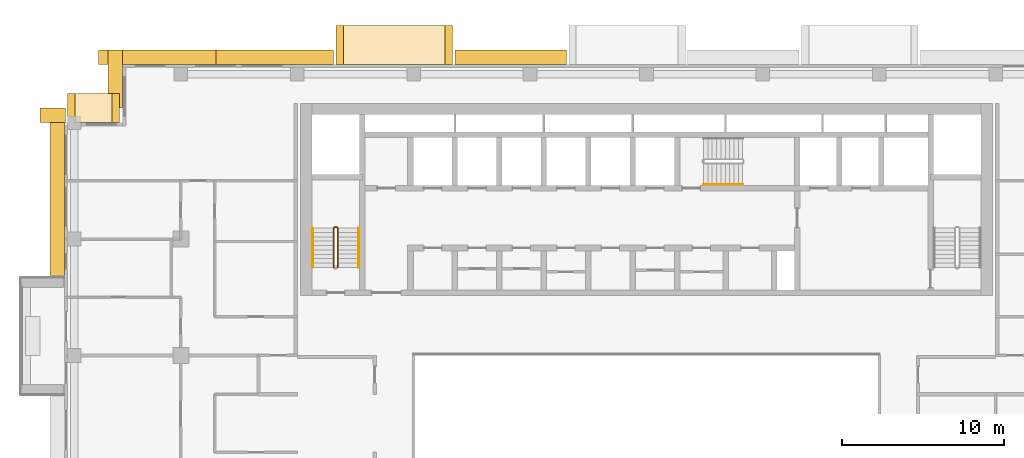
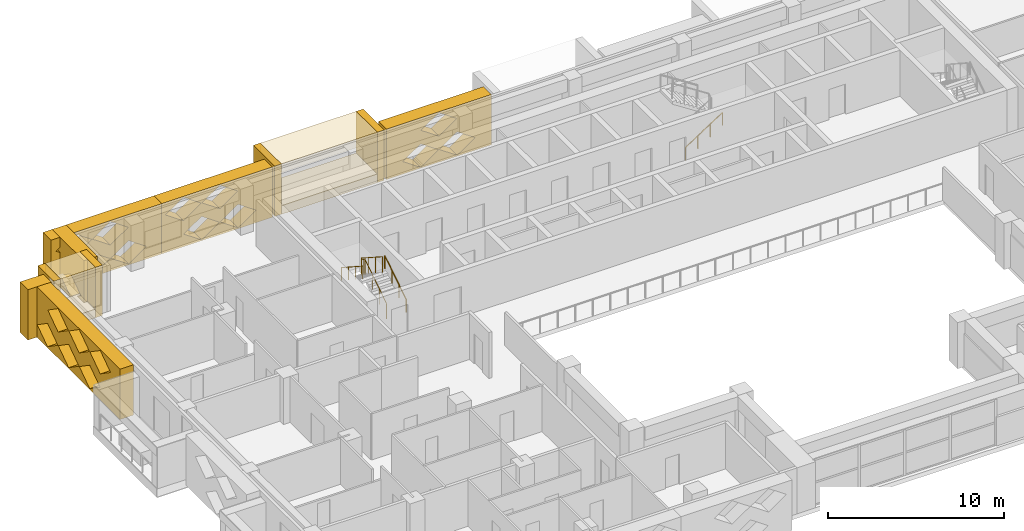
# One storey, part 18 of 20: 14 coverings, 4 railings.
"""IFC4 building model written with IfcOpenShell, lengths in metres."""

from ifc_helpers import new_model, si_unit, direction, frame, origin, origin_2d, place, context, subcontext, project, spatial, polyline, circle, outline, extrude, material, type_object, element, save


model = new_model("IFC4")

# Units and contexts
model_context = context("Model", 3, precision=1e-05, world=origin(), true_north=direction((0.0, 1.0)))
body_context = subcontext(model_context, "Body", "Model", "MODEL_VIEW")
ifc_project = project(units=[si_unit("LENGTHUNIT", "METRE"), si_unit("AREAUNIT", "SQUARE_METRE"), si_unit("VOLUMEUNIT", "CUBIC_METRE"), si_unit("PLANEANGLEUNIT", "RADIAN"), si_unit("MASSUNIT", "GRAM", prefix="KILO")], contexts=[model_context])

# Site, building, storey
site_placement = place(None, origin())
site = spatial("IfcSite", under=ifc_project, at=site_placement, CompositionType="ELEMENT")
building_placement = place(site_placement, origin())
building = spatial("IfcBuilding", under=site, at=building_placement, Name="Saffron Iwan Residences", CompositionType="ELEMENT")
storey_placement = place(building_placement, frame((0.0, 0.0, 171.0)))
storey = spatial("IfcBuildingStorey", under=building, at=storey_placement, Name="L45", CompositionType="ELEMENT", Elevation=171.0)

# Coverings
ifc_material_1 = material(Name="Precast concrete C40/50", Category="concrete")
covering_type_1 = type_object("IfcCoveringType", Name="OUTER SKIN LATTICE SCREEN", PredefinedType="CLADDING", material=ifc_material_1)
covering_1_placement = place(storey_placement, frame((45.449951171875, 80.39990234375, -0.300048828125), z_axis=(0.0, 1.0, 0.0), x_axis=(-1.0, 0.0, 0.0)))
element("IfcCovering", 1, at=covering_1_placement, inside=storey, type_object=covering_type_1, Name="OUTER SKIN lattice screen L45 F5.3", PredefinedType="CLADDING", context=body_context, shape_type="SweptSolid", body=[
    extrude(outline(polyline([(0.0, 0.0), (6.89990234375, 0.0), (6.89990234375, 3.5), (0.0, 3.5), (0.0, 0.0)]), holes=[polyline([(1.070068359375, 0.875), (2.25, 0.06005859375), (3.429931640625, 0.875), (2.25, 1.68994140625), (1.070068359375, 0.875)]), polyline([(3.469970703125, 0.875), (4.64990234375, 0.06005859375), (5.830078125, 0.875), (4.64990234375, 1.68994140625), (3.469970703125, 0.875)]), polyline([(2.27001953125, 2.625), (3.449951171875, 1.81005859375), (4.6298828125, 2.625), (3.449951171875, 3.43994140625), (2.27001953125, 2.625)])]), origin(), (0.0, 0.0, 1.0), 0.900146484375),
])
covering_2_placement = place(storey_placement, frame((31.050048828125, 80.39990234375, -0.300048828125), z_axis=(0.0, 1.0, 0.0), x_axis=(-1.0, 0.0, 0.0)))
element("IfcCovering", 2, at=covering_2_placement, inside=storey, type_object=covering_type_1, Name="OUTER SKIN lattice screen L45 F5.4", PredefinedType="CLADDING", context=body_context, shape_type="SweptSolid", body=[
    extrude(outline(polyline([(0.0, 0.0), (7.27490234375, 0.0), (7.27490234375, 3.5), (0.0, 3.5), (0.0, 0.0)]), holes=[polyline([(1.070068359375, 0.875), (2.25, 0.06005859375), (3.429931640625, 0.875), (2.25, 1.68994140625), (1.070068359375, 0.875)]), polyline([(3.469970703125, 0.875), (4.64990234375, 0.06005859375), (5.830078125, 0.875), (4.64990234375, 1.68994140625), (3.469970703125, 0.875)]), polyline([(2.27001953125, 2.625), (3.449951171875, 1.81005859375), (4.6298828125, 2.625), (3.449951171875, 3.43994140625), (2.27001953125, 2.625)]), polyline([(4.669921875, 2.625), (5.85009765625, 1.81005859375), (7.030029296875, 2.625), (5.85009765625, 3.43994140625), (4.669921875, 2.625)])]), origin(), (0.0, 0.0, 1.0), 0.900146484375),
])
covering_3_placement = place(storey_placement, frame((23.77490234375, 80.39990234375, -0.300048828125), z_axis=(0.0, 1.0, 0.0), x_axis=(-1.0, 0.0, 0.0)))
element("IfcCovering", 3, at=covering_3_placement, inside=storey, type_object=covering_type_1, Name="OUTER SKIN lattice screen L45 F5.5", PredefinedType="CLADDING", context=body_context, shape_type="SweptSolid", body=[
    extrude(outline(polyline([(0.0, 0.0), (7.27490234375, 0.0), (7.27490234375, 3.5), (0.0, 3.5), (0.0, 0.0)]), holes=[polyline([(0.9951171875, 0.875), (2.175048828125, 0.06005859375), (3.35498046875, 0.875), (2.175048828125, 1.68994140625), (0.9951171875, 0.875)]), polyline([(3.39501953125, 0.875), (4.574951171875, 0.06005859375), (5.7548828125, 0.875), (4.574951171875, 1.68994140625), (3.39501953125, 0.875)]), polyline([(2.195068359375, 2.625), (3.375, 1.81005859375), (4.554931640625, 2.625), (3.375, 3.43994140625), (2.195068359375, 2.625)]), polyline([(4.594970703125, 2.625), (5.77490234375, 1.81005859375), (6.955078125, 2.625), (5.77490234375, 3.43994140625), (4.594970703125, 2.625)])]), origin(), (0.0, 0.0, 1.0), 0.900146484375),
])
covering_4_placement = place(storey_placement, frame((18.0, 81.300048828125, -0.300048828125), z_axis=(-1.0, 0.0, 0.0), x_axis=(0.0, -1.0, 0.0)))
element("IfcCovering", 4, at=covering_4_placement, inside=storey, type_object=covering_type_1, Name="OUTER SKIN lattice screen L45 F6.0", PredefinedType="CLADDING", context=body_context, shape_type="SweptSolid", body=[
    extrude(outline(polyline([(0.0, 0.0), (3.60009765625, 0.0), (3.60009765625, 3.5), (0.0, 3.5), (0.0, 0.0)]), holes=[polyline([(0.919921875, 0.875), (2.10009765625, 0.06005859375), (3.280029296875, 0.875), (2.10009765625, 1.68994140625), (0.919921875, 0.875)])]), origin(), (0.0, 0.0, 1.0), 0.89990234375),
])
covering_5_placement = place(storey_placement, frame((14.449951171875, 76.800048828125, -0.300048828125), z_axis=(0.0, 1.0, 0.0), x_axis=(-1.0, 0.0, 0.0)))
element("IfcCovering", 5, at=covering_5_placement, inside=storey, type_object=covering_type_1, Name="OUTER SKIN lattice screen L45 F7.0", PredefinedType="CLADDING", context=body_context, shape_type="SweptSolid", body=[
    extrude(outline(polyline([(0.0, 0.0), (1.550048828125, 0.0), (1.550048828125, 3.5), (0.0, 3.5), (0.0, 0.0)])), origin(), (0.0, 0.0, 1.0), 0.89990234375),
])
covering_6_placement = place(storey_placement, frame((14.39990234375, 77.699951171875, -0.300048828125), z_axis=(-1.0, 0.0, 0.0), x_axis=(0.0, -1.0, 0.0)))
element("IfcCovering", 6, at=covering_6_placement, inside=storey, type_object=covering_type_1, Name="OUTER SKIN lattice screen L45 F8.0", PredefinedType="CLADDING", context=body_context, shape_type="SweptSolid", body=[
    extrude(outline(polyline([(0.0, 0.0), (10.35009765625, 0.0), (10.35009765625, 3.5), (0.0, 3.5), (0.0, 0.0)]), holes=[polyline([(0.919921875, 0.875), (2.10009765625, 0.06005859375), (3.280029296875, 0.875), (2.10009765625, 1.68994140625), (0.919921875, 0.875)]), polyline([(3.320068359375, 0.875), (4.5, 0.06005859375), (5.679931640625, 0.875), (4.5, 1.68994140625), (3.320068359375, 0.875)]), polyline([(5.719970703125, 0.875), (6.89990234375, 0.06005859375), (8.080078125, 0.875), (6.89990234375, 1.68994140625), (5.719970703125, 0.875)]), polyline([(2.1201171875, 2.625), (3.300048828125, 1.81005859375), (4.47998046875, 2.625), (3.300048828125, 3.43994140625), (2.1201171875, 2.625)]), polyline([(4.52001953125, 2.625), (5.699951171875, 1.81005859375), (6.8798828125, 2.625), (5.699951171875, 3.43994140625), (4.52001953125, 2.625)]), polyline([(6.919921875, 2.625), (8.10009765625, 1.81005859375), (9.280029296875, 2.625), (8.10009765625, 3.43994140625), (6.919921875, 2.625)])]), origin(), (0.0, 0.0, 1.0), 0.89990234375),
])

# Railings
ifc_material_2 = material(Name="Steel S355", Category="steel")
railing_type_1 = type_object("IfcRailingType", Name="Stair guard 1100", PredefinedType="GUARDRAIL", material=ifc_material_2)
railing_1_placement = place(storey_placement, frame((31.300048828125, 67.85009765625, 0.175048828125)))
element("IfcRailing", 7, at=railing_1_placement, inside=storey, type_object=railing_type_1, Name="L45 ST-W stair guard 1", PredefinedType="GUARDRAIL", context=body_context, shape_type="SweptSolid", body=[
    extrude(circle(Radius=0.02392578125, at=origin_2d()), frame((0.0, 0.0, 1.076171875), z_axis=(0.0, 0.839153699163, 0.543894354798), x_axis=(-1.0, 0.0, 0.0)), (0.0, 0.0, 1.0), 2.895751953125),
    extrude(circle(Radius=0.02392578125, at=origin_2d()), frame((0.0, 2.429931640625, 2.65087890625), z_axis=(-0.707106781187, 0.707106781187, 0.0), x_axis=(-0.707106781187, -0.707106781187, 0.0)), (0.0, 0.0, 1.0), 0.07080078125),
    extrude(circle(Radius=0.02392578125, at=origin_2d()), frame((-0.050048828125, 2.47998046875, 2.65087890625), z_axis=(-1.0, 0.0, 0.0), x_axis=(0.0, -1.0, 0.0)), (0.0, 0.0, 1.0), 0.14990234375),
    extrude(circle(Radius=0.02392578125, at=origin_2d()), frame((-0.199951171875, 2.47998046875, 2.65087890625), z_axis=(-0.265065253269, -0.265065253269, 0.927081885822), x_axis=(0.707106781187, -0.707106781187, 0.0)), (0.0, 0.0, 1.0), 0.188720703125),
    extrude(circle(Radius=0.02392578125, at=origin_2d()), frame((-0.25, 2.429931640625, 2.826171875), z_axis=(0.0, -0.839153699163, 0.543894354798), x_axis=(1.0, 0.0, 0.0)), (0.0, 0.0, 1.0), 2.895751953125),
    extrude(circle(Radius=0.02099609375, at=origin_2d()), origin(), (0.0, 0.0, 1.0), 1.052001953125),
    extrude(circle(Radius=0.02099609375, at=origin_2d()), frame((0.0, 0.81005859375, 0.52490234375)), (0.0, 0.0, 1.0), 1.052001953125),
    extrude(circle(Radius=0.02099609375, at=origin_2d()), frame((0.0, 1.619873046875, 1.050048828125)), (0.0, 0.0, 1.0), 1.052001953125),
    extrude(circle(Radius=0.02099609375, at=origin_2d()), frame((0.0, 2.429931640625, 1.574951171875)), (0.0, 0.0, 1.0), 1.052001953125),
    extrude(circle(Radius=0.02099609375, at=origin_2d()), frame((-0.050048828125, 2.47998046875, 1.574951171875)), (0.0, 0.0, 1.0), 1.052001953125),
    extrude(circle(Radius=0.02099609375, at=origin_2d()), frame((-0.199951171875, 2.47998046875, 1.574951171875)), (0.0, 0.0, 1.0), 1.052001953125),
    extrude(circle(Radius=0.02099609375, at=origin_2d()), frame((-0.25, 2.429931640625, 1.75)), (0.0, 0.0, 1.0), 1.052001953125),
    extrude(circle(Radius=0.02099609375, at=origin_2d()), frame((-0.25, 1.619873046875, 2.27490234375)), (0.0, 0.0, 1.0), 1.052001953125),
    extrude(circle(Radius=0.02099609375, at=origin_2d()), frame((-0.25, 0.81005859375, 2.800048828125)), (0.0, 0.0, 1.0), 1.052001953125),
    extrude(circle(Radius=0.02099609375, at=origin_2d()), frame((-0.25, 0.0, 3.324951171875)), (0.0, 0.0, 1.0), 1.052001953125),
])
ifc_material_3 = material(Name="Stainless steel 316", Category="steel")
railing_type_2 = type_object("IfcRailingType", Name="Stair handrail 900", PredefinedType="HANDRAIL", material=ifc_material_3)
railing_2_placement = place(storey_placement, frame((32.60009765625, 67.85009765625, 0.175048828125)))
element("IfcRailing", 8, at=railing_2_placement, inside=storey, type_object=railing_type_2, Name="L45 ST-W stair handrail 1", PredefinedType="HANDRAIL", context=body_context, shape_type="SweptSolid", body=[
    extrude(circle(Radius=0.02392578125, at=origin_2d()), frame((0.0, 0.0, 0.8759765625), z_axis=(0.0, 0.839153699163, 0.543894354798), x_axis=(-1.0, 0.0, 0.0)), (0.0, 0.0, 1.0), 2.895751953125),
    extrude(circle(Radius=0.02099609375, at=origin_2d()), origin(), (0.0, 0.0, 1.0), 0.851806640625),
    extrude(circle(Radius=0.02099609375, at=origin_2d()), frame((0.0, 0.81005859375, 0.52490234375)), (0.0, 0.0, 1.0), 0.851806640625),
    extrude(circle(Radius=0.02099609375, at=origin_2d()), frame((0.0, 1.619873046875, 1.050048828125)), (0.0, 0.0, 1.0), 0.851806640625),
    extrude(circle(Radius=0.02099609375, at=origin_2d()), frame((0.0, 2.429931640625, 1.574951171875)), (0.0, 0.0, 1.0), 0.851806640625),
])
railing_3_placement = place(storey_placement, frame((29.75, 70.280029296875, 1.925048828125)))
element("IfcRailing", 9, at=railing_3_placement, inside=storey, type_object=railing_type_2, Name="L45 ST-W stair handrail 2", PredefinedType="HANDRAIL", context=body_context, shape_type="SweptSolid", body=[
    extrude(circle(Radius=0.02392578125, at=origin_2d()), frame((0.0, 0.0, 0.8759765625), z_axis=(0.0, -0.839153699163, 0.543894354798), x_axis=(1.0, 0.0, 0.0)), (0.0, 0.0, 1.0), 2.895751953125),
    extrude(circle(Radius=0.02099609375, at=origin_2d()), origin(), (0.0, 0.0, 1.0), 0.851806640625),
    extrude(circle(Radius=0.02099609375, at=origin_2d()), frame((0.0, -0.81005859375, 0.52490234375)), (0.0, 0.0, 1.0), 0.851806640625),
    extrude(circle(Radius=0.02099609375, at=origin_2d()), frame((0.0, -1.619873046875, 1.050048828125)), (0.0, 0.0, 1.0), 0.851806640625),
    extrude(circle(Radius=0.02099609375, at=origin_2d()), frame((0.0, -2.429931640625, 1.574951171875)), (0.0, 0.0, 1.0), 0.851806640625),
])
railing_4_placement = place(storey_placement, frame((53.925048828125, 72.97509765625, 0.175048828125)))
element("IfcRailing", 10, at=railing_4_placement, inside=storey, type_object=railing_type_2, Name="L45 ST-C stair handrail 1", PredefinedType="HANDRAIL", context=body_context, shape_type="SweptSolid", body=[
    extrude(circle(Radius=0.02392578125, at=origin_2d()), frame((0.0, 0.0, 0.8759765625), z_axis=(0.839153699163, 0.0, 0.543894354798), x_axis=(0.0, 1.0, 0.0)), (0.0, 0.0, 1.0), 2.895751953125),
    extrude(circle(Radius=0.02099609375, at=origin_2d()), origin(), (0.0, 0.0, 1.0), 0.851806640625),
    extrude(circle(Radius=0.02099609375, at=origin_2d()), frame((0.81005859375, 0.0, 0.52490234375)), (0.0, 0.0, 1.0), 0.851806640625),
    extrude(circle(Radius=0.02099609375, at=origin_2d()), frame((1.619873046875, 0.0, 1.050048828125)), (0.0, 0.0, 1.0), 0.851806640625),
    extrude(circle(Radius=0.02099609375, at=origin_2d()), frame((2.429931640625, 0.0, 1.574951171875)), (0.0, 0.0, 1.0), 0.851806640625),
])

# Coverings
ifc_material_4 = material(Name="Precast concrete C40/50 white painted", Category="concrete")
covering_type_2 = type_object("IfcCoveringType", Name="WHITE SUN FRAME PRECAST", PredefinedType="CLADDING", material=ifc_material_4)
for number, where, z_axis, x_axis, name in (
    (11, (38.39990234375, 80.39990234375, -0.300048828125), (0.0, 1.0, 0.0), (-1.0, 0.0, 0.0), "Sun frame L45 F5 44.4a"),
    (12, (31.64990234375, 80.39990234375, -0.300048828125), (0.0, 1.0, 0.0), (-1.0, 0.0, 0.0), "Sun frame L45 F5 44.4b"),
):
    element("IfcCovering", number, at=place(storey_placement, frame(where, z_axis=z_axis, x_axis=x_axis)), inside=storey, type_object=covering_type_2, Name=name, PredefinedType="CLADDING", context=body_context, shape_type="SweptSolid", body=[
        extrude(outline(polyline([(0.0, 0.0), (0.449951171875, 0.0), (0.449951171875, 3.5), (0.0, 3.5), (0.0, 0.0)])), origin(), (0.0, 0.0, 1.0), 2.400146484375),
    ])
for number, where, z_axis, x_axis, name in (
    (13, (37.949951171875, 80.39990234375, 2.60009765625), (0.0, 1.0, 0.0), (-1.0, 0.0, 0.0), "Sun frame L45 F5 44.4h"),
    (14, (37.949951171875, 80.39990234375, -0.300048828125), (0.0, 1.0, 0.0), (-1.0, 0.0, 0.0), "Sun frame L45 F5 44.4s"),
):
    element("IfcCovering", number, at=place(storey_placement, frame(where, z_axis=z_axis, x_axis=x_axis)), inside=storey, type_object=covering_type_2, Name=name, PredefinedType="CLADDING", context=body_context, shape_type="SweptSolid", body=[
        extrude(outline(polyline([(0.0, 0.0), (6.300048828125, 0.0), (6.300048828125, 0.60009765625), (0.0, 0.60009765625), (0.0, 0.0)])), origin(), (0.0, 0.0, 1.0), 2.400146484375),
    ])
for number, where, z_axis, x_axis, name in (
    (15, (17.800048828125, 76.800048828125, -0.300048828125), (0.0, 1.0, 0.0), (-1.0, 0.0, 0.0), "Sun frame L45 F7 0.2a"),
    (16, (15.050048828125, 76.800048828125, -0.300048828125), (0.0, 1.0, 0.0), (-1.0, 0.0, 0.0), "Sun frame L45 F7 0.2b"),
):
    element("IfcCovering", number, at=place(storey_placement, frame(where, z_axis=z_axis, x_axis=x_axis)), inside=storey, type_object=covering_type_2, Name=name, PredefinedType="CLADDING", context=body_context, shape_type="SweptSolid", body=[
        extrude(outline(polyline([(0.0, 0.0), (0.449951171875, 0.0), (0.449951171875, 3.5), (0.0, 3.5), (0.0, 0.0)])), origin(), (0.0, 0.0, 1.0), 1.800048828125),
    ])
for number, where, z_axis, x_axis, name in (
    (17, (17.35009765625, 76.800048828125, 2.60009765625), (0.0, 1.0, 0.0), (-1.0, 0.0, 0.0), "Sun frame L45 F7 0.2h"),
    (18, (17.35009765625, 76.800048828125, -0.300048828125), (0.0, 1.0, 0.0), (-1.0, 0.0, 0.0), "Sun frame L45 F7 0.2s"),
):
    element("IfcCovering", number, at=place(storey_placement, frame(where, z_axis=z_axis, x_axis=x_axis)), inside=storey, type_object=covering_type_2, Name=name, PredefinedType="CLADDING", context=body_context, shape_type="SweptSolid", body=[
        extrude(outline(polyline([(0.0, 0.0), (2.300048828125, 0.0), (2.300048828125, 0.60009765625), (0.0, 0.60009765625), (0.0, 0.0)])), origin(), (0.0, 0.0, 1.0), 1.800048828125),
    ])

save(model, "model.ifc")
